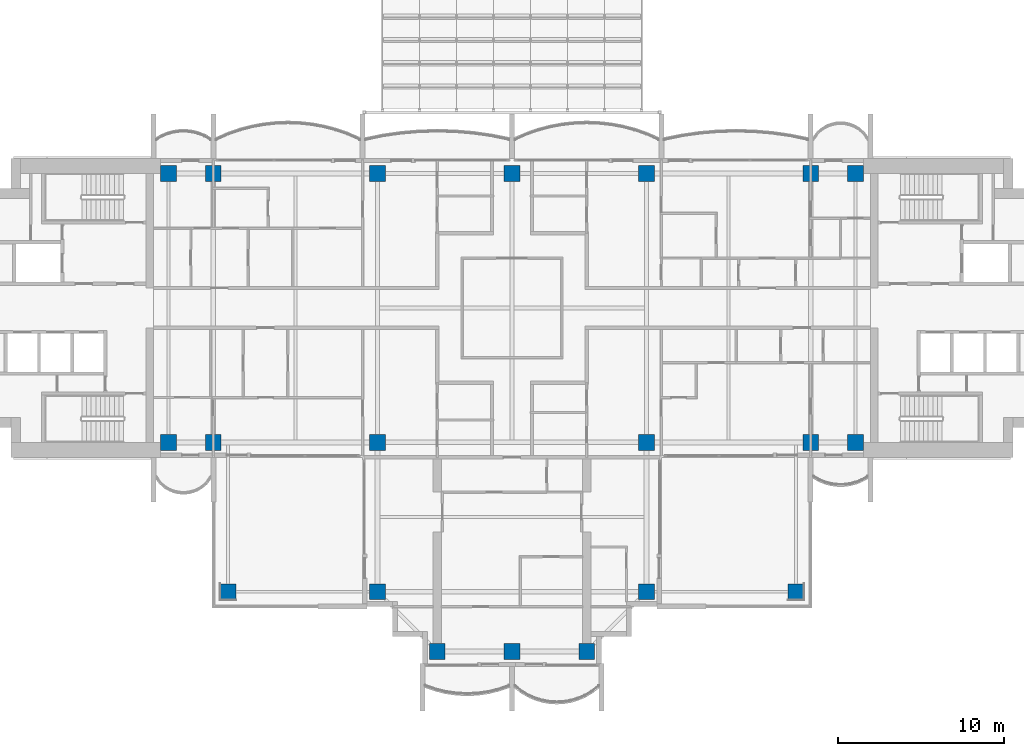
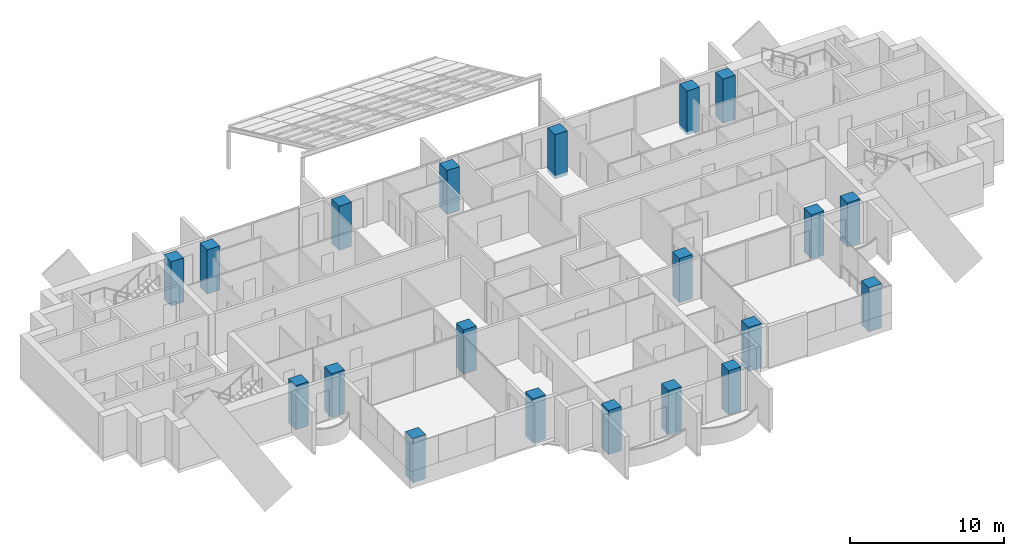
# One storey, part 1 of 20: 20 columns.
"""IFC4 building model written with IfcOpenShell, lengths in metres."""

from ifc_helpers import new_model, si_unit, direction, frame, origin, origin_2d, place, context, subcontext, project, spatial, rectangle, extrude, material, material_profile, profile_set, type_object, element, save


model = new_model("IFC4")

# Units and contexts
model_context = context("Model", 3, precision=1e-05, world=origin(), true_north=direction((0.0, 1.0)))
body_context = subcontext(model_context, "Body", "Model", "MODEL_VIEW")
ifc_project = project(units=[si_unit("LENGTHUNIT", "METRE"), si_unit("AREAUNIT", "SQUARE_METRE"), si_unit("VOLUMEUNIT", "CUBIC_METRE"), si_unit("PLANEANGLEUNIT", "RADIAN"), si_unit("MASSUNIT", "GRAM", prefix="KILO")], contexts=[model_context])

# Site, building, storey
site_placement = place(None, origin())
site = spatial("IfcSite", under=ifc_project, at=site_placement, CompositionType="ELEMENT")
building_placement = place(site_placement, origin())
building = spatial("IfcBuilding", under=site, at=building_placement, Name="Perihelion Cross Residences", CompositionType="ELEMENT")
storey_placement = place(building_placement, frame((0.0, 0.0, 170.10009765625)))
storey = spatial("IfcBuildingStorey", under=building, at=storey_placement, Name="L41", CompositionType="ELEMENT", Elevation=170.10009765625)

# Columns
ifc_material = material(Name="Concrete C60/75", Category="concrete")
ifc_material_profile = material_profile(ifc_material, rectangle(XDim=0.949951171875, YDim=0.949951171875, at=origin_2d()), Name="RC 950x950")
ifc_profile_set = profile_set([ifc_material_profile], Name="Concrete C60/75")
column_type = type_object("IfcColumnType", Name="Reinforced concrete column 950x950 C60/75", PredefinedType="COLUMN", material=ifc_profile_set)
for number, where, z_axis, x_axis, name in (
    (1, (-20.699951171875, -8.10009765625, -0.25), (0.0, 0.0, 1.0), (1.0, 0.0, 0.0), "Column C017 L41 no. 1"),
    (2, (-20.699951171875, 8.10009765625, -0.25), (0.0, 0.0, 1.0), (1.0, 0.0, 0.0), "Column C010 L41 no. 1"),
    (3, (-18.0, -8.10009765625, -0.25), (0.0, 0.0, 1.0), (1.0, 0.0, 0.0), "Column C018 L41 no. 1"),
    (4, (-18.0, 8.10009765625, -0.25), (0.0, 0.0, 1.0), (1.0, 0.0, 0.0), "Column C011 L41 no. 1"),
    (5, (-8.10009765625, -17.10009765625, -0.25), (0.0, 0.0, 1.0), (1.0, 0.0, 0.0), "Column C031 L41 no. 1"),
    (6, (-8.10009765625, -8.10009765625, -0.25), (0.0, 0.0, 1.0), (1.0, 0.0, 0.0), "Column C019 L41 no. 1"),
    (7, (-8.10009765625, 8.10009765625, -0.25), (0.0, 0.0, 1.0), (1.0, 0.0, 0.0), "Column C012 L41 no. 1"),
    (8, (-4.5, -20.699951171875, -0.25), (0.0, 0.0, 1.0), (1.0, 0.0, 0.0), "Column C037 L41 no. 1"),
    (9, (0.0, -20.699951171875, -0.25), (0.0, 0.0, 1.0), (1.0, 0.0, 0.0), "Column C038 L41 no. 1"),
    (10, (0.0, 8.10009765625, -0.25), (0.0, 0.0, 1.0), (1.0, 0.0, 0.0), "Column C013 L41 no. 1"),
    (11, (4.5, -20.699951171875, -0.25), (0.0, 0.0, 1.0), (1.0, 0.0, 0.0), "Column C039 L41 no. 1"),
    (12, (8.10009765625, -17.10009765625, -0.25), (0.0, 0.0, 1.0), (1.0, 0.0, 0.0), "Column C035 L41 no. 1"),
    (13, (8.10009765625, -8.10009765625, -0.25), (0.0, 0.0, 1.0), (1.0, 0.0, 0.0), "Column C020 L41 no. 1"),
    (14, (8.10009765625, 8.10009765625, -0.25), (0.0, 0.0, 1.0), (1.0, 0.0, 0.0), "Column C014 L41 no. 1"),
    (15, (18.0, -8.10009765625, -0.25), (0.0, 0.0, 1.0), (1.0, 0.0, 0.0), "Column C021 L41 no. 1"),
    (16, (18.0, 8.10009765625, -0.25), (0.0, 0.0, 1.0), (1.0, 0.0, 0.0), "Column C015 L41 no. 1"),
    (17, (20.699951171875, -8.10009765625, -0.25), (0.0, 0.0, 1.0), (1.0, 0.0, 0.0), "Column C022 L41 no. 1"),
    (18, (20.699951171875, 8.10009765625, -0.25), (0.0, 0.0, 1.0), (1.0, 0.0, 0.0), "Column C016 L41 no. 1"),
    (19, (-17.10009765625, -17.10009765625, -0.25), (0.0, 0.0, 1.0), (1.0, 0.0, 0.0), "Column C030 L41 no. 1"),
    (20, (17.10009765625, -17.10009765625, -0.25), (0.0, 0.0, 1.0), (1.0, 0.0, 0.0), "Column C036 L41 no. 1"),
):
    element("IfcColumn", number, at=place(storey_placement, frame(where, z_axis=z_axis, x_axis=x_axis)), inside=storey, type_object=column_type, Name=name, PredefinedType="COLUMN", context=body_context, shape_type="SweptSolid", body=[
        extrude(rectangle(XDim=0.949951171875, YDim=0.949951171875, at=origin_2d()), origin(), (0.0, 0.0, 1.0), 3.5),
    ])

save(model, "model.ifc")
